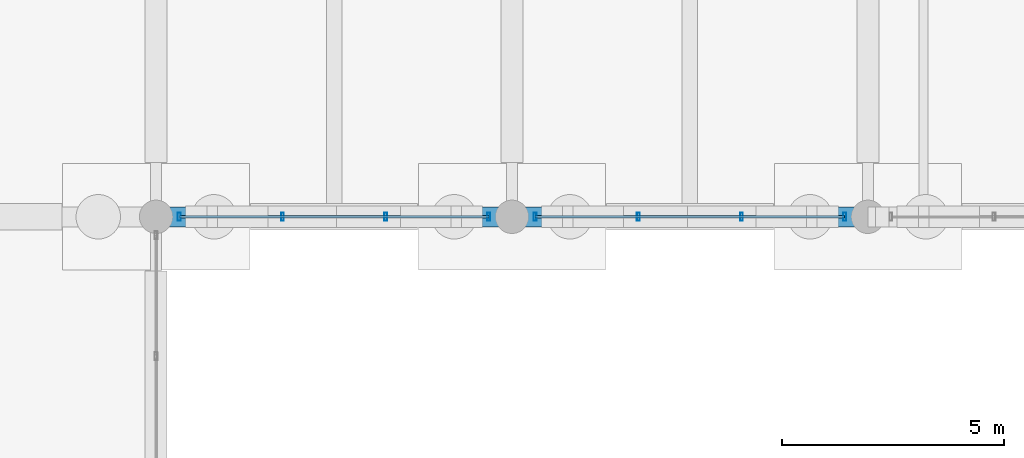
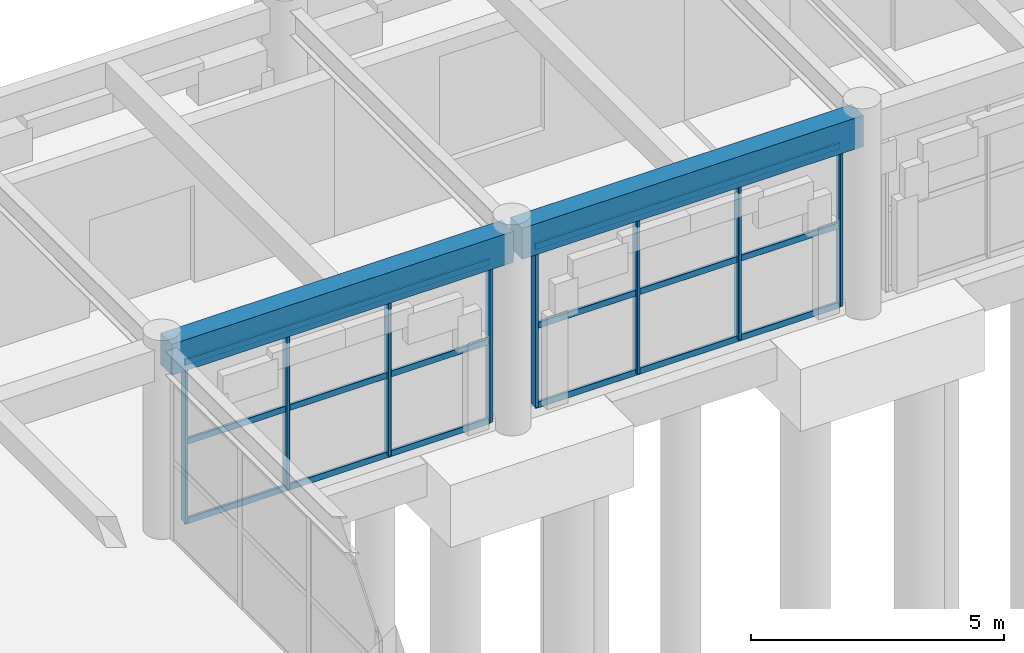
# One storey, part 65 of 147: 14 members, 2 beams, 2 elements without a shape of their own.
"""IFC4 building model written with IfcOpenShell, lengths in metres."""

from ifc_helpers import new_model, si_unit, direction, frame, origin, origin_2d, place, context, subcontext, project, spatial, rectangle, hollow_rectangle, extrude, material, material_profile, profile_set, type_object, element, aggregate, save


model = new_model("IFC4")

# Units and contexts
model_context = context("Model", 3, precision=1e-05, world=origin(), true_north=direction((0.0, 1.0)))
body_context = subcontext(model_context, "Body", "Model", "MODEL_VIEW")
ifc_project = project(units=[si_unit("LENGTHUNIT", "METRE"), si_unit("AREAUNIT", "SQUARE_METRE"), si_unit("VOLUMEUNIT", "CUBIC_METRE"), si_unit("PLANEANGLEUNIT", "RADIAN"), si_unit("MASSUNIT", "GRAM", prefix="KILO")], contexts=[model_context])

# Site, building, storey
site_placement = place(None, origin())
site = spatial("IfcSite", under=ifc_project, at=site_placement, CompositionType="ELEMENT")
building_placement = place(site_placement, origin())
building = spatial("IfcBuilding", under=site, at=building_placement, Name="Varnabhumi Central Station", CompositionType="ELEMENT")
storey_placement = place(building_placement, origin())
storey = spatial("IfcBuildingStorey", under=building, at=storey_placement, Name="L00", CompositionType="ELEMENT", Elevation=0.0)

# Beams
ifc_material_1 = material(Name="Concrete M40", Category="concrete")
ifc_material_profile_1 = material_profile(ifc_material_1, rectangle(XDim=0.449951171875, YDim=0.75, at=origin_2d()), Name="Concrete M40", Category="concrete")
ifc_profile_set_1 = profile_set([ifc_material_profile_1], Name="Concrete M40")
beam_type = type_object("IfcBeamType", Name="BM-RC-450x750", PredefinedType="BEAM", material=ifc_profile_set_1)
for number, where, z_axis, x_axis, name in (
    (1, (48.10009765625, 107.0, 4.175048828125), (1.0, 0.0, 0.0), (0.0, 1.0, 0.0), "Beam L00-N:7-8"),
    (2, (56.10009765625, 107.0, 4.175048828125), (1.0, 0.0, 0.0), (0.0, 1.0, 0.0), "Beam L00-N:8-9"),
):
    element("IfcBeam", number, at=place(storey_placement, frame(where, z_axis=z_axis, x_axis=x_axis)), inside=storey, type_object=beam_type, Name=name, PredefinedType="BEAM", context=body_context, shape_type="SweptSolid", body=[
        extrude(rectangle(XDim=0.449951171875, YDim=0.75, at=origin_2d()), origin(), (0.0, 0.0, 1.0), 7.7998046875),
    ])

# Curtain wall, members
ifc_material_2 = material(Name="Anodised aluminium 6063-T6", Category="aluminium")
curtain_wall_type = type_object("IfcCurtainWallType", Name="CW-PATIO-LOGGIA-L0", PredefinedType="NOTDEFINED", material=ifc_material_2)
curtain_wall_1_placement = place(storey_placement, origin())
curtain_wall_1 = element("IfcCurtainWall", 3, at=curtain_wall_1_placement, inside=storey, type_object=curtain_wall_type, Name="Curtain Wall CW-NP0N1", PredefinedType="NOTDEFINED")
ifc_material_profile_2 = material_profile(ifc_material_2, hollow_rectangle(XDim=0.06494140625, YDim=0.179931640625, WallThickness=0.00390625, InnerFilletRadius=0.001953125, OuterFilletRadius=0.006103515625, at=origin_2d()), Name="Anodised aluminium 6063-T6", Category="aluminium")
ifc_profile_set_2 = profile_set([ifc_material_profile_2], Name="Anodised aluminium 6063-T6")
member_type_1 = type_object("IfcMemberType", Name="CW-MUL-180", PredefinedType="MULLION", material=ifc_profile_set_2)
member_1_placement = place(storey_placement, frame((48.52001953125, 107.0, 0.0), z_axis=(0.0, 0.0, 1.0), x_axis=(1.0, 0.0, 0.0)))
member_1 = element("IfcMember", 4, at=member_1_placement, type_object=member_type_1, Name="Curtain Wall Mullion CW-NP0N1-M1", PredefinedType="MULLION", context=body_context, shape_type="SweptSolid", body=[
    extrude(hollow_rectangle(XDim=0.06494140625, YDim=0.179931640625, WallThickness=0.00390625, InnerFilletRadius=0.001953125, OuterFilletRadius=0.006103515625, at=origin_2d()), origin(), (0.0, 0.0, 1.0), 3.840087890625),
])
member_2_placement = place(storey_placement, frame((50.840087890625, 107.0, 0.0), z_axis=(0.0, 0.0, 1.0), x_axis=(1.0, 0.0, 0.0)))
member_2 = element("IfcMember", 5, at=member_2_placement, type_object=member_type_1, Name="Curtain Wall Mullion CW-NP0N1-M2", PredefinedType="MULLION", context=body_context, shape_type="SweptSolid", body=[
    extrude(hollow_rectangle(XDim=0.06494140625, YDim=0.179931640625, WallThickness=0.00390625, InnerFilletRadius=0.001953125, OuterFilletRadius=0.006103515625, at=origin_2d()), origin(), (0.0, 0.0, 1.0), 3.840087890625),
])
member_3_placement = place(storey_placement, frame((53.159912109375, 107.0, 0.0), z_axis=(0.0, 0.0, 1.0), x_axis=(1.0, 0.0, 0.0)))
member_3 = element("IfcMember", 6, at=member_3_placement, type_object=member_type_1, Name="Curtain Wall Mullion CW-NP0N1-M3", PredefinedType="MULLION", context=body_context, shape_type="SweptSolid", body=[
    extrude(hollow_rectangle(XDim=0.06494140625, YDim=0.179931640625, WallThickness=0.00390625, InnerFilletRadius=0.001953125, OuterFilletRadius=0.006103515625, at=origin_2d()), origin(), (0.0, 0.0, 1.0), 3.840087890625),
])
member_4_placement = place(storey_placement, frame((55.47998046875, 107.0, 0.0), z_axis=(0.0, 0.0, 1.0), x_axis=(1.0, 0.0, 0.0)))
member_4 = element("IfcMember", 7, at=member_4_placement, type_object=member_type_1, Name="Curtain Wall Mullion CW-NP0N1-M4", PredefinedType="MULLION", context=body_context, shape_type="SweptSolid", body=[
    extrude(hollow_rectangle(XDim=0.06494140625, YDim=0.179931640625, WallThickness=0.00390625, InnerFilletRadius=0.001953125, OuterFilletRadius=0.006103515625, at=origin_2d()), origin(), (0.0, 0.0, 1.0), 3.840087890625),
])

curtain_wall_2_placement = place(storey_placement, origin())
curtain_wall_2 = element("IfcCurtainWall", 8, at=curtain_wall_2_placement, inside=storey, type_object=curtain_wall_type, Name="Curtain Wall CW-NP0N2", PredefinedType="NOTDEFINED")
member_5_placement = place(storey_placement, frame((56.52001953125, 107.0, 0.0), z_axis=(0.0, 0.0, 1.0), x_axis=(1.0, 0.0, 0.0)))
member_5 = element("IfcMember", 9, at=member_5_placement, type_object=member_type_1, Name="Curtain Wall Mullion CW-NP0N2-M1", PredefinedType="MULLION", context=body_context, shape_type="SweptSolid", body=[
    extrude(hollow_rectangle(XDim=0.06494140625, YDim=0.179931640625, WallThickness=0.00390625, InnerFilletRadius=0.001953125, OuterFilletRadius=0.006103515625, at=origin_2d()), origin(), (0.0, 0.0, 1.0), 3.840087890625),
])
member_6_placement = place(storey_placement, frame((58.840087890625, 107.0, 0.0), z_axis=(0.0, 0.0, 1.0), x_axis=(1.0, 0.0, 0.0)))
member_6 = element("IfcMember", 10, at=member_6_placement, type_object=member_type_1, Name="Curtain Wall Mullion CW-NP0N2-M2", PredefinedType="MULLION", context=body_context, shape_type="SweptSolid", body=[
    extrude(hollow_rectangle(XDim=0.06494140625, YDim=0.179931640625, WallThickness=0.00390625, InnerFilletRadius=0.001953125, OuterFilletRadius=0.006103515625, at=origin_2d()), origin(), (0.0, 0.0, 1.0), 3.840087890625),
])
member_7_placement = place(storey_placement, frame((61.159912109375, 107.0, 0.0), z_axis=(0.0, 0.0, 1.0), x_axis=(1.0, 0.0, 0.0)))
member_7 = element("IfcMember", 11, at=member_7_placement, type_object=member_type_1, Name="Curtain Wall Mullion CW-NP0N2-M3", PredefinedType="MULLION", context=body_context, shape_type="SweptSolid", body=[
    extrude(hollow_rectangle(XDim=0.06494140625, YDim=0.179931640625, WallThickness=0.00390625, InnerFilletRadius=0.001953125, OuterFilletRadius=0.006103515625, at=origin_2d()), origin(), (0.0, 0.0, 1.0), 3.840087890625),
])
member_8_placement = place(storey_placement, frame((63.47998046875, 107.0, 0.0), z_axis=(0.0, 0.0, 1.0), x_axis=(1.0, 0.0, 0.0)))
member_8 = element("IfcMember", 12, at=member_8_placement, type_object=member_type_1, Name="Curtain Wall Mullion CW-NP0N2-M4", PredefinedType="MULLION", context=body_context, shape_type="SweptSolid", body=[
    extrude(hollow_rectangle(XDim=0.06494140625, YDim=0.179931640625, WallThickness=0.00390625, InnerFilletRadius=0.001953125, OuterFilletRadius=0.006103515625, at=origin_2d()), origin(), (0.0, 0.0, 1.0), 3.840087890625),
])

# Member
ifc_material_profile_3 = material_profile(ifc_material_2, hollow_rectangle(XDim=0.06005859375, YDim=0.14990234375, WallThickness=0.00390625, InnerFilletRadius=0.001953125, OuterFilletRadius=0.006103515625, at=origin_2d()), Name="Anodised aluminium 6063-T6", Category="aluminium")
ifc_profile_set_3 = profile_set([ifc_material_profile_3], Name="Anodised aluminium 6063-T6")
member_type_2 = type_object("IfcMemberType", Name="CW-TR-150", PredefinedType="USERDEFINED", material=ifc_profile_set_3)
member_9_placement = place(storey_placement, frame((48.52001953125, 107.0, 0.0), z_axis=(1.0, 0.0, 0.0), x_axis=(0.0, 1.0, 0.0)))
member_9 = element("IfcMember", 13, at=member_9_placement, type_object=member_type_2, Name="Curtain Wall Transom CW-NP0N1-T1", ObjectType="TRANSOM", PredefinedType="USERDEFINED", context=body_context, shape_type="SweptSolid", body=[
    extrude(hollow_rectangle(XDim=0.06005859375, YDim=0.14990234375, WallThickness=0.00390625, InnerFilletRadius=0.001953125, OuterFilletRadius=0.006103515625, at=origin_2d()), origin(), (0.0, 0.0, 1.0), 6.9599609375),
])

member_10_placement = place(storey_placement, frame((48.52001953125, 107.0, 1.919921875), z_axis=(1.0, 0.0, 0.0), x_axis=(0.0, 1.0, 0.0)))
member_10 = element("IfcMember", 14, at=member_10_placement, type_object=member_type_2, Name="Curtain Wall Transom CW-NP0N1-T2", ObjectType="TRANSOM", PredefinedType="USERDEFINED", context=body_context, shape_type="SweptSolid", body=[
    extrude(hollow_rectangle(XDim=0.06005859375, YDim=0.14990234375, WallThickness=0.00390625, InnerFilletRadius=0.001953125, OuterFilletRadius=0.006103515625, at=origin_2d()), origin(), (0.0, 0.0, 1.0), 6.9599609375),
])

member_11_placement = place(storey_placement, frame((48.52001953125, 107.0, 3.840087890625), z_axis=(1.0, 0.0, 0.0), x_axis=(0.0, 1.0, 0.0)))
member_11 = element("IfcMember", 15, at=member_11_placement, type_object=member_type_2, Name="Curtain Wall Transom CW-NP0N1-T3", ObjectType="TRANSOM", PredefinedType="USERDEFINED", context=body_context, shape_type="SweptSolid", body=[
    extrude(hollow_rectangle(XDim=0.06005859375, YDim=0.14990234375, WallThickness=0.00390625, InnerFilletRadius=0.001953125, OuterFilletRadius=0.006103515625, at=origin_2d()), origin(), (0.0, 0.0, 1.0), 6.9599609375),
])

aggregate(curtain_wall_1, [member_1, member_2, member_3, member_4, member_9, member_10, member_11])

member_12_placement = place(storey_placement, frame((56.52001953125, 107.0, 0.0), z_axis=(1.0, 0.0, 0.0), x_axis=(0.0, 1.0, 0.0)))
member_12 = element("IfcMember", 16, at=member_12_placement, type_object=member_type_2, Name="Curtain Wall Transom CW-NP0N2-T1", ObjectType="TRANSOM", PredefinedType="USERDEFINED", context=body_context, shape_type="SweptSolid", body=[
    extrude(hollow_rectangle(XDim=0.06005859375, YDim=0.14990234375, WallThickness=0.00390625, InnerFilletRadius=0.001953125, OuterFilletRadius=0.006103515625, at=origin_2d()), origin(), (0.0, 0.0, 1.0), 6.9599609375),
])

member_13_placement = place(storey_placement, frame((56.52001953125, 107.0, 1.919921875), z_axis=(1.0, 0.0, 0.0), x_axis=(0.0, 1.0, 0.0)))
member_13 = element("IfcMember", 17, at=member_13_placement, type_object=member_type_2, Name="Curtain Wall Transom CW-NP0N2-T2", ObjectType="TRANSOM", PredefinedType="USERDEFINED", context=body_context, shape_type="SweptSolid", body=[
    extrude(hollow_rectangle(XDim=0.06005859375, YDim=0.14990234375, WallThickness=0.00390625, InnerFilletRadius=0.001953125, OuterFilletRadius=0.006103515625, at=origin_2d()), origin(), (0.0, 0.0, 1.0), 6.9599609375),
])

member_14_placement = place(storey_placement, frame((56.52001953125, 107.0, 3.840087890625), z_axis=(1.0, 0.0, 0.0), x_axis=(0.0, 1.0, 0.0)))
member_14 = element("IfcMember", 18, at=member_14_placement, type_object=member_type_2, Name="Curtain Wall Transom CW-NP0N2-T3", ObjectType="TRANSOM", PredefinedType="USERDEFINED", context=body_context, shape_type="SweptSolid", body=[
    extrude(hollow_rectangle(XDim=0.06005859375, YDim=0.14990234375, WallThickness=0.00390625, InnerFilletRadius=0.001953125, OuterFilletRadius=0.006103515625, at=origin_2d()), origin(), (0.0, 0.0, 1.0), 6.9599609375),
])

aggregate(curtain_wall_2, [member_5, member_6, member_7, member_8, member_12, member_13, member_14])

save(model, "model.ifc")
